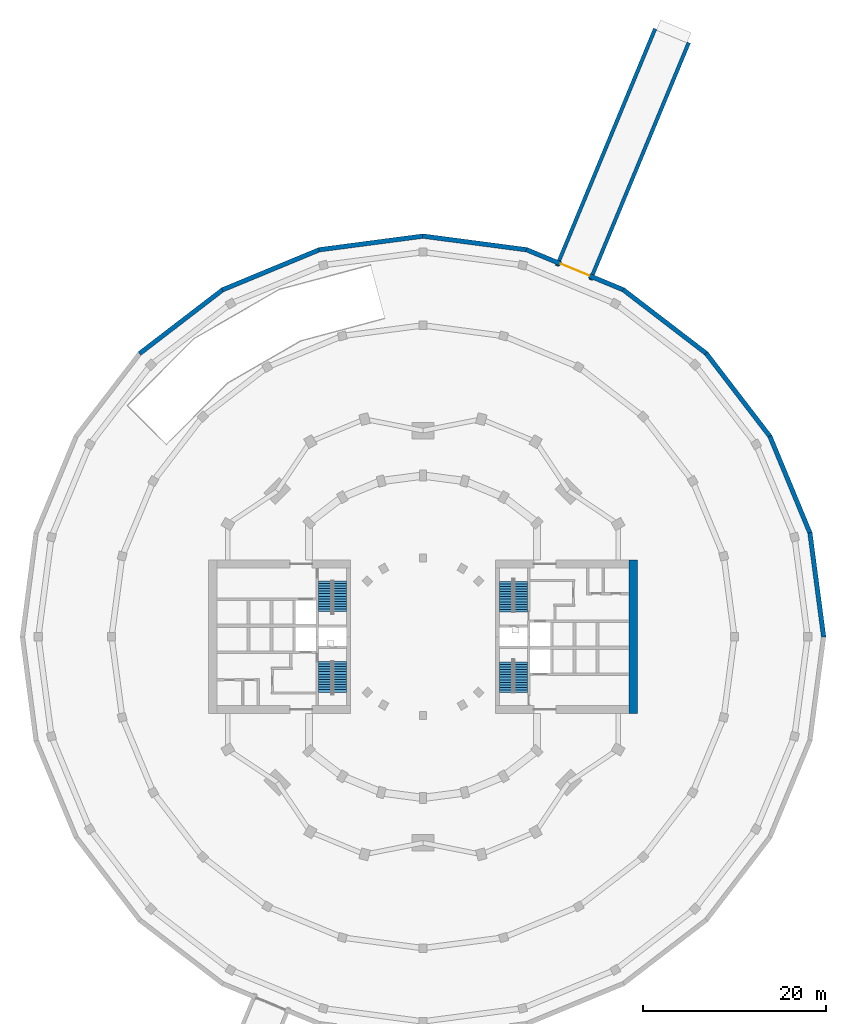
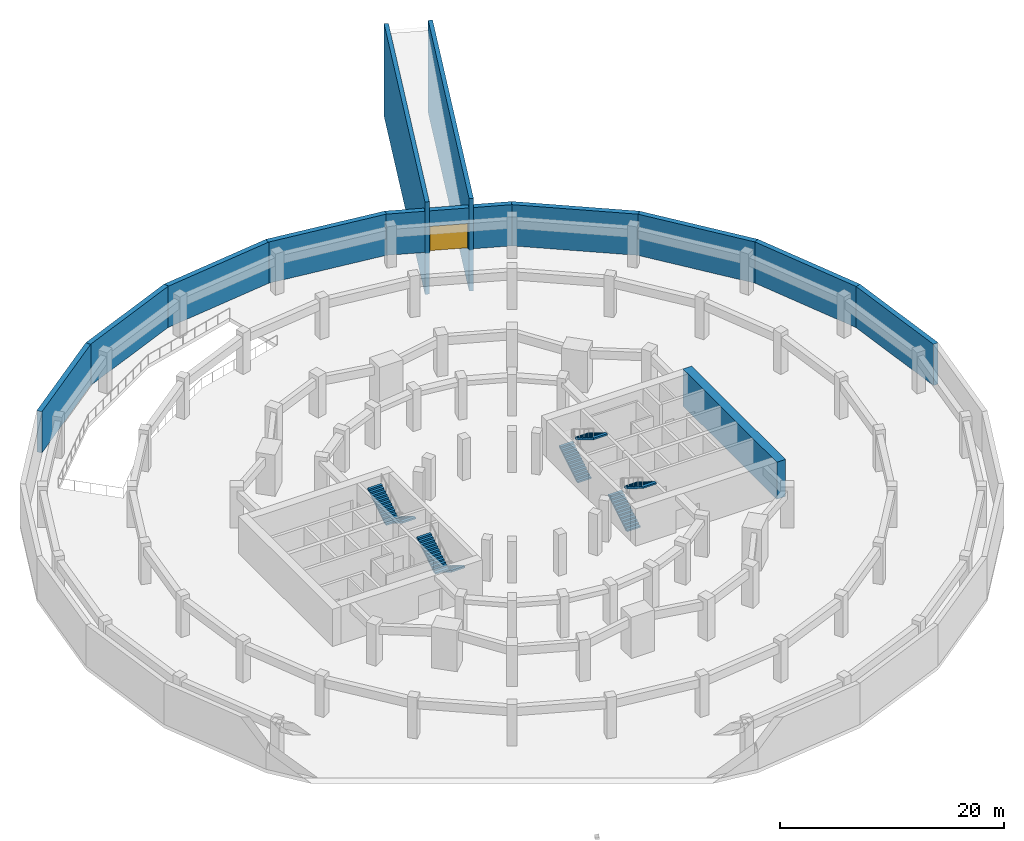
# One storey, part 6 of 7: 12 walls, 8 stair flights, 1 door, 1 opening, 4 elements without a shape of their own.
"""IFC4 building model written with IfcOpenShell, lengths in metres."""

from ifc_helpers import new_model, si_unit, direction, frame, frame_2d, origin, place, context, subcontext, project, spatial, polyline, rectangle, outline, extrude, material, layer, layer_set, type_object, element, fill, aggregate, save


model = new_model("IFC4")

# Units and contexts
model_context = context("Model", 3, precision=1e-05, world=origin(), true_north=direction((0.0, 1.0)))
body_context = subcontext(model_context, "Body", "Model", "MODEL_VIEW")
ifc_project = project(units=[si_unit("LENGTHUNIT", "METRE"), si_unit("AREAUNIT", "SQUARE_METRE"), si_unit("VOLUMEUNIT", "CUBIC_METRE"), si_unit("PLANEANGLEUNIT", "RADIAN"), si_unit("MASSUNIT", "GRAM", prefix="KILO")], contexts=[model_context])

# Site, building, storey
site_placement = place(None, origin())
site = spatial("IfcSite", under=ifc_project, at=site_placement, CompositionType="ELEMENT")
building_placement = place(site_placement, origin())
building = spatial("IfcBuilding", under=site, at=building_placement, Name="Torre Brocal", CompositionType="ELEMENT")
storey_placement = place(building_placement, frame((0.0, 0.0, -4.5)))
storey = spatial("IfcBuildingStorey", under=building, at=storey_placement, Name="B1", CompositionType="ELEMENT", Elevation=-4.5)

# Walls
ifc_material_1 = material(Name="Concrete C80", Category="concrete")
ifc_layer_1 = layer(ifc_material_1, 0.89990234375)
ifc_layer_set_1 = layer_set([ifc_layer_1], Name="Concrete C80")
wall_type_1 = type_object("IfcWallType", Name="CORE WALL 900 C80 UNDER 450 SLAB", PredefinedType="SHEAR", material=ifc_layer_set_1)
wall_1_placement = place(storey_placement, frame((102.949951171875, 66.60009765625, 0.0), z_axis=(0.0, 0.0, 1.0), x_axis=(0.0, 1.0, 0.0)))
element("IfcWall", 1, at=wall_1_placement, inside=storey, type_object=wall_type_1, Name="Wall CW900-80-S450", PredefinedType="SHEAR", context=body_context, shape_type="SweptSolid", body=[
    extrude(rectangle(XDim=16.7998046875, YDim=0.89990234375, at=frame_2d((8.39990234375, 0.0))), origin(), (0.0, 0.0, 1.0), 4.050048828125),
])
ifc_material_2 = material(Name="Concrete C45", Category="concrete")
ifc_layer_2 = layer(ifc_material_2, 0.39990234375)
ifc_layer_set_2 = layer_set([ifc_layer_2], Name="Concrete C45")
wall_type_2 = type_object("IfcWallType", Name="RC RAMP RETAINING WALL 400 C45", PredefinedType="STANDARD", material=ifc_layer_set_2)
wall_2_placement = place(storey_placement, frame((98.2939453125, 113.96533203125, -4.5), z_axis=(0.0, 0.0, 1.0), x_axis=(0.382685016155, 0.923878876483, 0.0)))
element("IfcWall", 2, at=wall_2_placement, inside=storey, type_object=wall_type_2, Name="Wall RW-02", PredefinedType="STANDARD", context=body_context, shape_type="SweptSolid", body=[
    extrude(rectangle(XDim=28.0400390625, YDim=0.39990234375, at=frame_2d((14.02001953125, 0.0))), origin(), (0.0, 0.0, 1.0), 10.10009765625),
])
wall_3_placement = place(storey_placement, frame((94.616943359375, 115.48828125, -4.5), z_axis=(0.0, 0.0, 1.0), x_axis=(0.382681937818, 0.923880151572, 0.0)))
element("IfcWall", 3, at=wall_3_placement, inside=storey, type_object=wall_type_2, Name="Wall RW-02", PredefinedType="STANDARD", context=body_context, shape_type="SweptSolid", body=[
    extrude(rectangle(XDim=28.040283203125, YDim=0.39990234375, at=frame_2d((14.02001953125, 0.0))), origin(), (0.0, 0.0, 1.0), 10.10009765625),
])
ifc_material_3 = material(Name="Concrete C45", Category="concrete")
ifc_layer_3 = layer(ifc_material_3, 0.5)
ifc_layer_set_3 = layer_set([ifc_layer_3], Name="Concrete C45")
wall_type_3 = type_object("IfcWallType", Name="RC RETAINING WALL 500 C45", PredefinedType="STANDARD", material=ifc_layer_set_3)
wall_4_placement = place(storey_placement, frame((123.752197265625, 74.96728515625, 0.0), z_axis=(0.0, 0.0, 1.0), x_axis=(-0.130524888474, 0.991445033014, 0.0)))
element("IfcWall", 4, at=wall_4_placement, inside=storey, type_object=wall_type_3, Name="Wall RW-1", PredefinedType="STANDARD", context=body_context, shape_type="SweptSolid", body=[
    extrude(rectangle(XDim=11.486328125, YDim=0.5, at=frame_2d((5.7431640625, 0.0))), origin(), (0.0, 0.0, 1.0), 4.5),
])
for number, where, z_axis, x_axis, name in (
    (5, (122.269775390625, 86.29248046875, 0.0), (0.0, 0.0, 1.0), (-0.382679682269, 0.923881085843, 0.0), "Wall RW-1"),
    (6, (117.90673828125, 96.847900390625, 0.0), (0.0, 0.0, 1.0), (-0.608768387966, 0.793348000447, 0.0), "Wall RW-1"),
    (7, (110.96044921875, 105.914306640625, 0.0), (0.0, 0.0, 1.0), (-0.793348000447, 0.608768387966, 0.0), "Wall RW-1"),
):
    element("IfcWall", number, at=place(storey_placement, frame(where, z_axis=z_axis, x_axis=x_axis)), inside=storey, type_object=wall_type_3, Name=name, PredefinedType="STANDARD", context=body_context, shape_type="SweptSolid", body=[
        extrude(rectangle(XDim=11.486083984375, YDim=0.5, at=frame_2d((5.7431640625, 0.0))), origin(), (0.0, 0.0, 1.0), 4.5),
    ])

# Wall, opening, door
wall_5_placement = place(storey_placement, frame((101.904296875, 112.874267578125, 0.0), z_axis=(0.0, 0.0, 1.0), x_axis=(-0.923881085843, 0.382679682269, 0.0)))
wall_5 = element("IfcWall", 8, at=wall_5_placement, inside=storey, type_object=wall_type_3, Name="Wall RW-1", PredefinedType="STANDARD", context=body_context, shape_type="SweptSolid", body=[
    extrude(rectangle(XDim=11.486083984375, YDim=0.5, at=frame_2d((5.7431640625, 0.0))), origin(), (0.0, 0.0, 1.0), 4.5),
])
opening_placement = place(wall_5_placement, frame((4.043212890625, 0.0, 0.0)))
opening = element("IfcOpeningElement", 9, at=opening_placement, cuts=wall_5, Name="Opening VG2", PredefinedType="OPENING", context=body_context, shape_type="SweptSolid", body=[
    extrude(rectangle(XDim=3.39990234375, YDim=2.800048828125, at=frame_2d((1.699951171875, 1.39990234375))), frame((0.0, 0.260009765625, 0.0), z_axis=(0.0, -1.0, 0.0), x_axis=(1.0, 0.0, 0.0)), (0.0, 0.0, 1.0), 0.52001953125),
])
ifc_material_4 = material(Name="Steel A992", Category="steel")
door_type = type_object("IfcDoorType", Name="VEHICLE GATE", OperationType="SLIDING_TO_LEFT", PredefinedType="GATE", material=ifc_material_4)
door_placement = place(opening_placement, origin())
door = element("IfcDoor", 10, at=door_placement, inside=storey, type_object=door_type, Name="Door VG2", OperationType="SLIDING_TO_LEFT", OverallHeight=2.800048828125, OverallWidth=3.39990234375, PredefinedType="GATE", context=body_context, shape_type="SweptSolid", body=[
    extrude(rectangle(XDim=3.39990234375, YDim=2.800048828125, at=frame_2d((1.699951171875, 1.39990234375))), frame((0.0, 0.02490234375, 0.0), z_axis=(0.0, -1.0, 0.0), x_axis=(1.0, 0.0, 0.0)), (0.0, 0.0, 1.0), 0.050048828125),
])
fill(opening, door)

# Walls
for number, where, z_axis, x_axis, name in (
    (11, (91.35546875, 117.2529296875, 0.0), (0.0, 0.0, 1.0), (-0.991445033014, 0.130524888474, 0.0), "Wall RW-1"),
    (12, (80.03271484375, 118.752197265625, 0.0), (0.0, 0.0, 1.0), (-0.991445033014, -0.130524888474, 0.0), "Wall RW-1"),
):
    element("IfcWall", number, at=place(storey_placement, frame(where, z_axis=z_axis, x_axis=x_axis)), inside=storey, type_object=wall_type_3, Name=name, PredefinedType="STANDARD", context=body_context, shape_type="SweptSolid", body=[
        extrude(rectangle(XDim=11.486328125, YDim=0.5, at=frame_2d((5.7431640625, 0.0))), origin(), (0.0, 0.0, 1.0), 4.5),
    ])
for number, where, z_axis, x_axis, name in (
    (13, (68.70751953125, 117.269775390625, 0.0), (0.0, 0.0, 1.0), (-0.923881085843, -0.382679682269, 0.0), "Wall RW-1"),
    (14, (58.152099609375, 112.90673828125, 0.0), (0.0, 0.0, 1.0), (-0.793348000447, -0.608768387966, 0.0), "Wall RW-1"),
):
    element("IfcWall", number, at=place(storey_placement, frame(where, z_axis=z_axis, x_axis=x_axis)), inside=storey, type_object=wall_type_3, Name=name, PredefinedType="STANDARD", context=body_context, shape_type="SweptSolid", body=[
        extrude(rectangle(XDim=11.486083984375, YDim=0.5, at=frame_2d((5.7431640625, 0.0))), origin(), (0.0, 0.0, 1.0), 4.5),
    ])

# Stair, stair flights
ifc_material_5 = material(Name="Concrete C50", Category="concrete")
stair_type = type_object("IfcStairType", Name="EXIT STAIR", PredefinedType="HALF_TURN_STAIR", material=ifc_material_5)
stair_1_placement = place(storey_placement, origin())
stair_1 = element("IfcStair", 15, at=stair_1_placement, inside=storey, type_object=stair_type, Name="EXIT STAIR ST1", PredefinedType="HALF_TURN_STAIR")
ifc_material_6 = material(Name="Concrete C50", Category="concrete")
ifc_layer_4 = layer(ifc_material_6, 0.14990234375)
ifc_layer_set_4 = layer_set([ifc_layer_4], Name="Concrete C50")
stair_flight_type = type_object("IfcStairFlightType", Name="STAIR FLIGHT", PredefinedType="STRAIGHT", material=ifc_layer_set_4)
stair_flight_1_placement = place(storey_placement, frame((89.050048828125, 77.699951171875, 0.0), z_axis=(0.0, 0.0, 1.0), x_axis=(0.0, 1.0, 0.0)))
stair_flight_1 = element("IfcStairFlight", 16, at=stair_flight_1_placement, type_object=stair_flight_type, Name="ST1 flight 1", NumberOfRisers=13, NumberOfTreads=12, PredefinedType="STRAIGHT", RiserHeight=0.173076923, TreadLength=0.28, context=body_context, shape_type="SweptSolid", body=[
    extrude(outline(polyline([(0.0, 0.0), (0.0, 0.173095703125), (0.280029296875, 0.173095703125), (0.280029296875, 0.34619140625), (0.56005859375, 0.34619140625), (0.56005859375, 0.519287109375), (0.840087890625, 0.519287109375), (0.840087890625, 0.6923828125), (1.1201171875, 0.6923828125), (1.1201171875, 0.865478515625), (1.39990234375, 0.865478515625), (1.39990234375, 1.03857421875), (1.679931640625, 1.03857421875), (1.679931640625, 1.21142578125), (1.9599609375, 1.21142578125), (1.9599609375, 1.384521484375), (2.239990234375, 1.384521484375), (2.239990234375, 1.5576171875), (2.52001953125, 1.5576171875), (2.52001953125, 1.730712890625), (2.800048828125, 1.730712890625), (2.800048828125, 1.90380859375), (3.080078125, 1.90380859375), (3.080078125, 2.076904296875), (3.360107421875, 2.076904296875), (3.360107421875, 2.25), (3.360107421875, 1.900634765625), (0.28515625, 0.0), (0.0, 0.0)])), frame((0.0, 0.699951171875, 0.0), z_axis=(0.0, -1.0, 0.0), x_axis=(1.0, 0.0, 0.0)), (0.0, 0.0, 1.0), 1.39990234375),
])
stair_flight_2_placement = place(storey_placement, frame((90.699951171875, 81.06005859375, 2.25), z_axis=(0.0, 0.0, 1.0), x_axis=(0.0, -1.0, 0.0)))
stair_flight_2 = element("IfcStairFlight", 17, at=stair_flight_2_placement, type_object=stair_flight_type, Name="ST1 flight 2", NumberOfRisers=13, NumberOfTreads=12, PredefinedType="STRAIGHT", RiserHeight=0.173076923, TreadLength=0.28, context=body_context, shape_type="SweptSolid", body=[
    extrude(outline(polyline([(0.0, 0.0), (0.0, 0.173095703125), (0.280029296875, 0.173095703125), (0.280029296875, 0.34619140625), (0.56005859375, 0.34619140625), (0.56005859375, 0.519287109375), (0.840087890625, 0.519287109375), (0.840087890625, 0.6923828125), (1.1201171875, 0.6923828125), (1.1201171875, 0.865478515625), (1.39990234375, 0.865478515625), (1.39990234375, 1.03857421875), (1.679931640625, 1.03857421875), (1.679931640625, 1.21142578125), (1.9599609375, 1.21142578125), (1.9599609375, 1.384521484375), (2.239990234375, 1.384521484375), (2.239990234375, 1.5576171875), (2.52001953125, 1.5576171875), (2.52001953125, 1.730712890625), (2.800048828125, 1.730712890625), (2.800048828125, 1.90380859375), (3.080078125, 1.90380859375), (3.080078125, 2.076904296875), (3.360107421875, 2.076904296875), (3.360107421875, 2.25), (3.360107421875, 1.900634765625), (0.28515625, 0.0), (0.0, 0.0)])), frame((0.0, 0.699951171875, 0.0), z_axis=(0.0, -1.0, 0.0), x_axis=(1.0, 0.0, 0.0)), (0.0, 0.0, 1.0), 1.39990234375),
])
aggregate(stair_1, [stair_flight_1, stair_flight_2])

stair_2_placement = place(storey_placement, origin())
stair_2 = element("IfcStair", 18, at=stair_2_placement, inside=storey, type_object=stair_type, Name="EXIT STAIR ST2", PredefinedType="HALF_TURN_STAIR")
stair_flight_3_placement = place(storey_placement, frame((89.050048828125, 68.89990234375, 0.0), z_axis=(0.0, 0.0, 1.0), x_axis=(0.0, 1.0, 0.0)))
stair_flight_3 = element("IfcStairFlight", 19, at=stair_flight_3_placement, type_object=stair_flight_type, Name="ST2 flight 1", NumberOfRisers=13, NumberOfTreads=12, PredefinedType="STRAIGHT", RiserHeight=0.173076923, TreadLength=0.28, context=body_context, shape_type="SweptSolid", body=[
    extrude(outline(polyline([(0.0, 0.0), (0.0, 0.173095703125), (0.280029296875, 0.173095703125), (0.280029296875, 0.34619140625), (0.56005859375, 0.34619140625), (0.56005859375, 0.519287109375), (0.840087890625, 0.519287109375), (0.840087890625, 0.6923828125), (1.1201171875, 0.6923828125), (1.1201171875, 0.865478515625), (1.39990234375, 0.865478515625), (1.39990234375, 1.03857421875), (1.679931640625, 1.03857421875), (1.679931640625, 1.21142578125), (1.9599609375, 1.21142578125), (1.9599609375, 1.384521484375), (2.239990234375, 1.384521484375), (2.239990234375, 1.5576171875), (2.52001953125, 1.5576171875), (2.52001953125, 1.730712890625), (2.800048828125, 1.730712890625), (2.800048828125, 1.90380859375), (3.080078125, 1.90380859375), (3.080078125, 2.076904296875), (3.360107421875, 2.076904296875), (3.360107421875, 2.25), (3.360107421875, 1.900634765625), (0.28515625, 0.0), (0.0, 0.0)])), frame((0.0, 0.699951171875, 0.0), z_axis=(0.0, -1.0, 0.0), x_axis=(1.0, 0.0, 0.0)), (0.0, 0.0, 1.0), 1.39990234375),
])
stair_flight_4_placement = place(storey_placement, frame((90.699951171875, 72.260009765625, 2.25), z_axis=(0.0, 0.0, 1.0), x_axis=(0.0, -1.0, 0.0)))
stair_flight_4 = element("IfcStairFlight", 20, at=stair_flight_4_placement, type_object=stair_flight_type, Name="ST2 flight 2", NumberOfRisers=13, NumberOfTreads=12, PredefinedType="STRAIGHT", RiserHeight=0.173076923, TreadLength=0.28, context=body_context, shape_type="SweptSolid", body=[
    extrude(outline(polyline([(0.0, 0.0), (0.0, 0.173095703125), (0.280029296875, 0.173095703125), (0.280029296875, 0.34619140625), (0.56005859375, 0.34619140625), (0.56005859375, 0.519287109375), (0.840087890625, 0.519287109375), (0.840087890625, 0.6923828125), (1.1201171875, 0.6923828125), (1.1201171875, 0.865478515625), (1.39990234375, 0.865478515625), (1.39990234375, 1.03857421875), (1.679931640625, 1.03857421875), (1.679931640625, 1.21142578125), (1.9599609375, 1.21142578125), (1.9599609375, 1.384521484375), (2.239990234375, 1.384521484375), (2.239990234375, 1.5576171875), (2.52001953125, 1.5576171875), (2.52001953125, 1.730712890625), (2.800048828125, 1.730712890625), (2.800048828125, 1.90380859375), (3.080078125, 1.90380859375), (3.080078125, 2.076904296875), (3.360107421875, 2.076904296875), (3.360107421875, 2.25), (3.360107421875, 1.900634765625), (0.28515625, 0.0), (0.0, 0.0)])), frame((0.0, 0.699951171875, 0.0), z_axis=(0.0, -1.0, 0.0), x_axis=(1.0, 0.0, 0.0)), (0.0, 0.0, 1.0), 1.39990234375),
])
aggregate(stair_2, [stair_flight_3, stair_flight_4])

stair_3_placement = place(storey_placement, origin())
stair_3 = element("IfcStair", 21, at=stair_3_placement, inside=storey, type_object=stair_type, Name="EXIT STAIR ST3", PredefinedType="HALF_TURN_STAIR")
stair_flight_5_placement = place(storey_placement, frame((70.949951171875, 72.300048828125, 0.0), z_axis=(0.0, 0.0, 1.0), x_axis=(0.0, -1.0, 0.0)))
stair_flight_5 = element("IfcStairFlight", 22, at=stair_flight_5_placement, type_object=stair_flight_type, Name="ST3 flight 1", NumberOfRisers=13, NumberOfTreads=12, PredefinedType="STRAIGHT", RiserHeight=0.173076923, TreadLength=0.28, context=body_context, shape_type="SweptSolid", body=[
    extrude(outline(polyline([(0.0, 0.0), (0.0, 0.173095703125), (0.280029296875, 0.173095703125), (0.280029296875, 0.34619140625), (0.56005859375, 0.34619140625), (0.56005859375, 0.519287109375), (0.840087890625, 0.519287109375), (0.840087890625, 0.6923828125), (1.1201171875, 0.6923828125), (1.1201171875, 0.865478515625), (1.39990234375, 0.865478515625), (1.39990234375, 1.03857421875), (1.679931640625, 1.03857421875), (1.679931640625, 1.21142578125), (1.9599609375, 1.21142578125), (1.9599609375, 1.384521484375), (2.239990234375, 1.384521484375), (2.239990234375, 1.5576171875), (2.52001953125, 1.5576171875), (2.52001953125, 1.730712890625), (2.800048828125, 1.730712890625), (2.800048828125, 1.90380859375), (3.080078125, 1.90380859375), (3.080078125, 2.076904296875), (3.360107421875, 2.076904296875), (3.360107421875, 2.25), (3.360107421875, 1.900634765625), (0.28515625, 0.0), (0.0, 0.0)])), frame((0.0, 0.699951171875, 0.0), z_axis=(0.0, -1.0, 0.0), x_axis=(1.0, 0.0, 0.0)), (0.0, 0.0, 1.0), 1.39990234375),
])
stair_flight_6_placement = place(storey_placement, frame((69.300048828125, 68.93994140625, 2.25), z_axis=(0.0, 0.0, 1.0), x_axis=(0.0, 1.0, 0.0)))
stair_flight_6 = element("IfcStairFlight", 23, at=stair_flight_6_placement, type_object=stair_flight_type, Name="ST3 flight 2", NumberOfRisers=13, NumberOfTreads=12, PredefinedType="STRAIGHT", RiserHeight=0.173076923, TreadLength=0.28, context=body_context, shape_type="SweptSolid", body=[
    extrude(outline(polyline([(0.0, 0.0), (0.0, 0.173095703125), (0.280029296875, 0.173095703125), (0.280029296875, 0.34619140625), (0.56005859375, 0.34619140625), (0.56005859375, 0.519287109375), (0.840087890625, 0.519287109375), (0.840087890625, 0.6923828125), (1.1201171875, 0.6923828125), (1.1201171875, 0.865478515625), (1.39990234375, 0.865478515625), (1.39990234375, 1.03857421875), (1.679931640625, 1.03857421875), (1.679931640625, 1.21142578125), (1.9599609375, 1.21142578125), (1.9599609375, 1.384521484375), (2.239990234375, 1.384521484375), (2.239990234375, 1.5576171875), (2.52001953125, 1.5576171875), (2.52001953125, 1.730712890625), (2.800048828125, 1.730712890625), (2.800048828125, 1.90380859375), (3.080078125, 1.90380859375), (3.080078125, 2.076904296875), (3.360107421875, 2.076904296875), (3.360107421875, 2.25), (3.360107421875, 1.900634765625), (0.28515625, 0.0), (0.0, 0.0)])), frame((0.0, 0.699951171875, 0.0), z_axis=(0.0, -1.0, 0.0), x_axis=(1.0, 0.0, 0.0)), (0.0, 0.0, 1.0), 1.39990234375),
])
aggregate(stair_3, [stair_flight_5, stair_flight_6])

stair_4_placement = place(storey_placement, origin())
stair_4 = element("IfcStair", 24, at=stair_4_placement, inside=storey, type_object=stair_type, Name="EXIT STAIR ST4", PredefinedType="HALF_TURN_STAIR")
stair_flight_7_placement = place(storey_placement, frame((70.949951171875, 81.10009765625, 0.0), z_axis=(0.0, 0.0, 1.0), x_axis=(0.0, -1.0, 0.0)))
stair_flight_7 = element("IfcStairFlight", 25, at=stair_flight_7_placement, type_object=stair_flight_type, Name="ST4 flight 1", NumberOfRisers=13, NumberOfTreads=12, PredefinedType="STRAIGHT", RiserHeight=0.173076923, TreadLength=0.28, context=body_context, shape_type="SweptSolid", body=[
    extrude(outline(polyline([(0.0, 0.0), (0.0, 0.173095703125), (0.280029296875, 0.173095703125), (0.280029296875, 0.34619140625), (0.56005859375, 0.34619140625), (0.56005859375, 0.519287109375), (0.840087890625, 0.519287109375), (0.840087890625, 0.6923828125), (1.1201171875, 0.6923828125), (1.1201171875, 0.865478515625), (1.39990234375, 0.865478515625), (1.39990234375, 1.03857421875), (1.679931640625, 1.03857421875), (1.679931640625, 1.21142578125), (1.9599609375, 1.21142578125), (1.9599609375, 1.384521484375), (2.239990234375, 1.384521484375), (2.239990234375, 1.5576171875), (2.52001953125, 1.5576171875), (2.52001953125, 1.730712890625), (2.800048828125, 1.730712890625), (2.800048828125, 1.90380859375), (3.080078125, 1.90380859375), (3.080078125, 2.076904296875), (3.360107421875, 2.076904296875), (3.360107421875, 2.25), (3.360107421875, 1.900634765625), (0.28515625, 0.0), (0.0, 0.0)])), frame((0.0, 0.699951171875, 0.0), z_axis=(0.0, -1.0, 0.0), x_axis=(1.0, 0.0, 0.0)), (0.0, 0.0, 1.0), 1.39990234375),
])
stair_flight_8_placement = place(storey_placement, frame((69.300048828125, 77.739990234375, 2.25), z_axis=(0.0, 0.0, 1.0), x_axis=(0.0, 1.0, 0.0)))
stair_flight_8 = element("IfcStairFlight", 26, at=stair_flight_8_placement, type_object=stair_flight_type, Name="ST4 flight 2", NumberOfRisers=13, NumberOfTreads=12, PredefinedType="STRAIGHT", RiserHeight=0.173076923, TreadLength=0.28, context=body_context, shape_type="SweptSolid", body=[
    extrude(outline(polyline([(0.0, 0.0), (0.0, 0.173095703125), (0.280029296875, 0.173095703125), (0.280029296875, 0.34619140625), (0.56005859375, 0.34619140625), (0.56005859375, 0.519287109375), (0.840087890625, 0.519287109375), (0.840087890625, 0.6923828125), (1.1201171875, 0.6923828125), (1.1201171875, 0.865478515625), (1.39990234375, 0.865478515625), (1.39990234375, 1.03857421875), (1.679931640625, 1.03857421875), (1.679931640625, 1.21142578125), (1.9599609375, 1.21142578125), (1.9599609375, 1.384521484375), (2.239990234375, 1.384521484375), (2.239990234375, 1.5576171875), (2.52001953125, 1.5576171875), (2.52001953125, 1.730712890625), (2.800048828125, 1.730712890625), (2.800048828125, 1.90380859375), (3.080078125, 1.90380859375), (3.080078125, 2.076904296875), (3.360107421875, 2.076904296875), (3.360107421875, 2.25), (3.360107421875, 1.900634765625), (0.28515625, 0.0), (0.0, 0.0)])), frame((0.0, 0.699951171875, 0.0), z_axis=(0.0, -1.0, 0.0), x_axis=(1.0, 0.0, 0.0)), (0.0, 0.0, 1.0), 1.39990234375),
])
aggregate(stair_4, [stair_flight_7, stair_flight_8])

save(model, "model.ifc")
